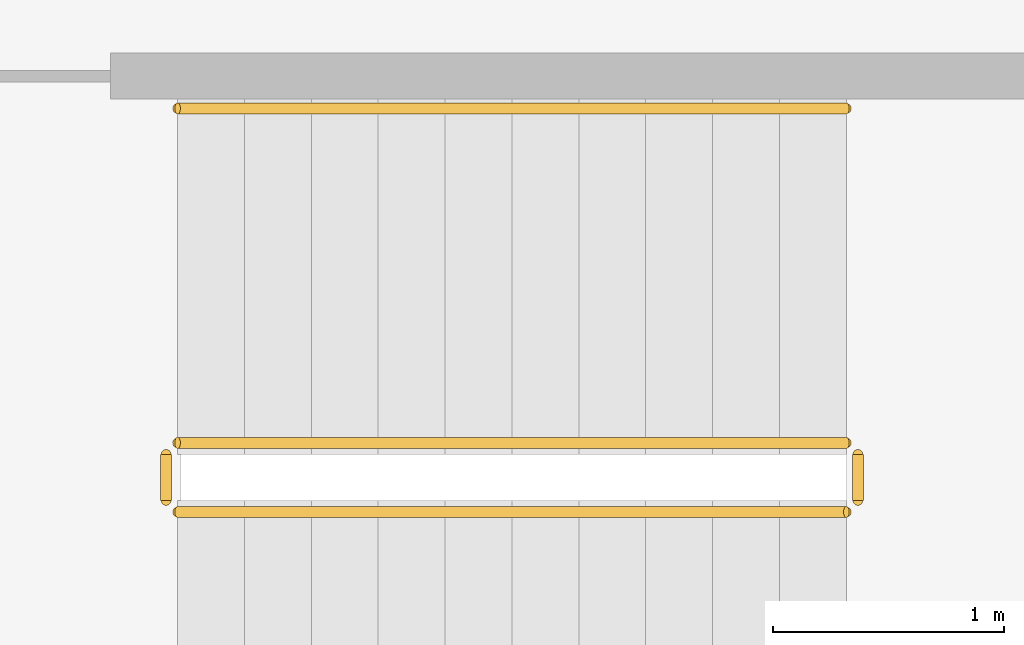
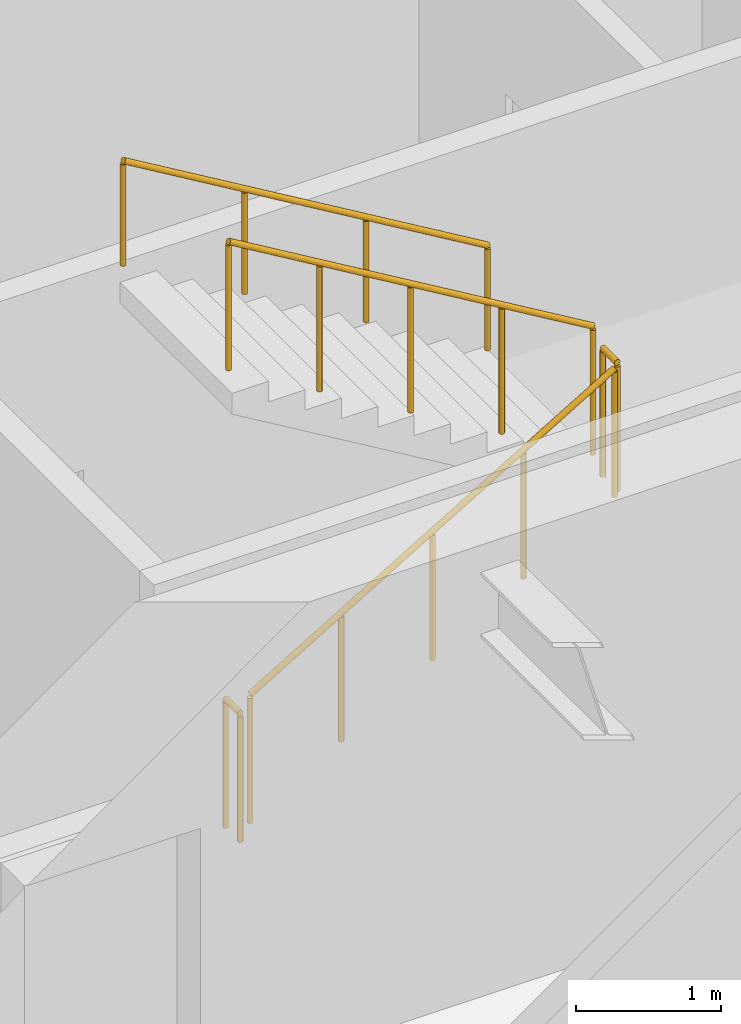
# One storey, part 21 of 22: 5 railings.
"""IFC4 building model written with IfcOpenShell, lengths in metres."""

from ifc_helpers import new_model, si_unit, direction, frame, origin, origin_2d, place, context, subcontext, project, spatial, circle, extrude, material, type_object, element, save


model = new_model("IFC4")

# Units and contexts
model_context = context("Model", 3, precision=1e-05, world=origin(), true_north=direction((0.0, 1.0)))
body_context = subcontext(model_context, "Body", "Model", "MODEL_VIEW")
ifc_project = project(units=[si_unit("LENGTHUNIT", "METRE"), si_unit("AREAUNIT", "SQUARE_METRE"), si_unit("VOLUMEUNIT", "CUBIC_METRE"), si_unit("PLANEANGLEUNIT", "RADIAN"), si_unit("MASSUNIT", "GRAM", prefix="KILO")], contexts=[model_context])

# Site, building, storey
site_placement = place(None, origin())
site = spatial("IfcSite", under=ifc_project, at=site_placement, CompositionType="ELEMENT")
building_placement = place(site_placement, origin())
building = spatial("IfcBuilding", under=site, at=building_placement, Name="Putna Gate Headquarters", CompositionType="ELEMENT")
storey_placement = place(building_placement, frame((0.0, 0.0, 148.0)))
storey = spatial("IfcBuildingStorey", under=building, at=storey_placement, Name="L36", CompositionType="ELEMENT", Elevation=148.0)

# Railings
ifc_material_1 = material(Name="Powder-coated steel stair guardrail", Category="steel")
railing_type_1 = type_object("IfcRailingType", Name="RAIL-STAIR-GUARD-1100", PredefinedType="GUARDRAIL", material=ifc_material_1)
railing_1_placement = place(storey_placement, frame((57.89990234375, 21.10009765625, 0.172607421875)))
element("IfcRailing", 1, at=railing_1_placement, inside=storey, type_object=railing_type_1, Name="L36 ST2 stair guard 1", PredefinedType="GUARDRAIL", context=body_context, shape_type="SweptSolid", body=[
    extrude(circle(Radius=0.02392578125, at=origin_2d()), frame((0.0, 0.0, 1.076171875), z_axis=(0.859160404282, 0.0, 0.51170636083), x_axis=(0.0, 1.0, 0.0)), (0.0, 0.0, 1.0), 3.37548828125),
    extrude(circle(Radius=0.02099609375, at=origin_2d()), origin(), (0.0, 0.0, 1.0), 1.052001953125),
    extrude(circle(Radius=0.02099609375, at=origin_2d()), frame((0.72509765625, 0.0, 0.431884765625)), (0.0, 0.0, 1.0), 1.052001953125),
    extrude(circle(Radius=0.02099609375, at=origin_2d()), frame((1.4501953125, 0.0, 0.86376953125)), (0.0, 0.0, 1.0), 1.052001953125),
    extrude(circle(Radius=0.02099609375, at=origin_2d()), frame((2.175048828125, 0.0, 1.29541015625)), (0.0, 0.0, 1.0), 1.052001953125),
    extrude(circle(Radius=0.02099609375, at=origin_2d()), frame((2.900146484375, 0.0, 1.727294921875)), (0.0, 0.0, 1.0), 1.052001953125),
])
railing_2_placement = place(storey_placement, frame((60.85009765625, 21.14990234375, 1.89990234375)))
element("IfcRailing", 2, at=railing_2_placement, inside=storey, type_object=railing_type_1, Name="L36 ST2 stair guard 2", PredefinedType="GUARDRAIL", context=body_context, shape_type="SweptSolid", body=[
    extrude(circle(Radius=0.02392578125, at=origin_2d()), frame((0.0, 0.0, 1.076171875), z_axis=(0.0, 1.0, 0.0), x_axis=(-1.0, 0.0, 0.0)), (0.0, 0.0, 1.0), 0.2001953125),
    extrude(circle(Radius=0.02099609375, at=origin_2d()), origin(), (0.0, 0.0, 1.0), 1.052001953125),
    extrude(circle(Radius=0.02099609375, at=origin_2d()), frame((0.0, 0.2001953125, 0.0)), (0.0, 0.0, 1.0), 1.052001953125),
])
railing_3_placement = place(storey_placement, frame((60.800048828125, 21.39990234375, 2.07275390625)))
element("IfcRailing", 3, at=railing_3_placement, inside=storey, type_object=railing_type_1, Name="L36 ST2 stair guard 3", PredefinedType="GUARDRAIL", context=body_context, shape_type="SweptSolid", body=[
    extrude(circle(Radius=0.02392578125, at=origin_2d()), frame((0.0, 0.0, 1.076171875), z_axis=(-0.859160404282, 0.0, 0.51170636083), x_axis=(0.0, -1.0, 0.0)), (0.0, 0.0, 1.0), 3.37548828125),
    extrude(circle(Radius=0.02099609375, at=origin_2d()), origin(), (0.0, 0.0, 1.0), 1.052001953125),
    extrude(circle(Radius=0.02099609375, at=origin_2d()), frame((-0.72509765625, 0.0, 0.431884765625)), (0.0, 0.0, 1.0), 1.052001953125),
    extrude(circle(Radius=0.02099609375, at=origin_2d()), frame((-1.4501953125, 0.0, 0.86376953125)), (0.0, 0.0, 1.0), 1.052001953125),
    extrude(circle(Radius=0.02099609375, at=origin_2d()), frame((-2.175048828125, 0.0, 1.29541015625)), (0.0, 0.0, 1.0), 1.052001953125),
    extrude(circle(Radius=0.02099609375, at=origin_2d()), frame((-2.900146484375, 0.0, 1.727294921875)), (0.0, 0.0, 1.0), 1.052001953125),
])
railing_4_placement = place(storey_placement, frame((57.85009765625, 21.14990234375, 0.0)))
element("IfcRailing", 4, at=railing_4_placement, inside=storey, type_object=railing_type_1, Name="L36 ST2 stair guard 4", PredefinedType="GUARDRAIL", context=body_context, shape_type="SweptSolid", body=[
    extrude(circle(Radius=0.02392578125, at=origin_2d()), frame((0.0, 0.0, 1.076171875), z_axis=(0.0, 1.0, 0.0), x_axis=(-1.0, 0.0, 0.0)), (0.0, 0.0, 1.0), 0.2001953125),
    extrude(circle(Radius=0.02099609375, at=origin_2d()), origin(), (0.0, 0.0, 1.0), 1.052001953125),
    extrude(circle(Radius=0.02099609375, at=origin_2d()), frame((0.0, 0.2001953125, 0.0)), (0.0, 0.0, 1.0), 1.052001953125),
])
ifc_material_2 = material(Name="Brushed stainless steel handrail", Category="steel")
railing_type_2 = type_object("IfcRailingType", Name="RAIL-STAIR-HAND-900", PredefinedType="HANDRAIL", material=ifc_material_2)
railing_5_placement = place(storey_placement, frame((60.800048828125, 22.85009765625, 2.07275390625)))
element("IfcRailing", 5, at=railing_5_placement, inside=storey, type_object=railing_type_2, Name="L36 ST2 stair handrail 2", PredefinedType="HANDRAIL", context=body_context, shape_type="SweptSolid", body=[
    extrude(circle(Radius=0.02392578125, at=origin_2d()), frame((0.0, 0.0, 0.8759765625), z_axis=(-0.859160404282, 0.0, 0.51170636083), x_axis=(0.0, -1.0, 0.0)), (0.0, 0.0, 1.0), 3.37548828125),
    extrude(circle(Radius=0.02099609375, at=origin_2d()), origin(), (0.0, 0.0, 1.0), 0.851806640625),
    extrude(circle(Radius=0.02099609375, at=origin_2d()), frame((-0.966796875, 0.0, 0.57568359375)), (0.0, 0.0, 1.0), 0.851806640625),
    extrude(circle(Radius=0.02099609375, at=origin_2d()), frame((-1.933349609375, 0.0, 1.151611328125)), (0.0, 0.0, 1.0), 0.851806640625),
    extrude(circle(Radius=0.02099609375, at=origin_2d()), frame((-2.900146484375, 0.0, 1.727294921875)), (0.0, 0.0, 1.0), 0.851806640625),
])

save(model, "model.ifc")
